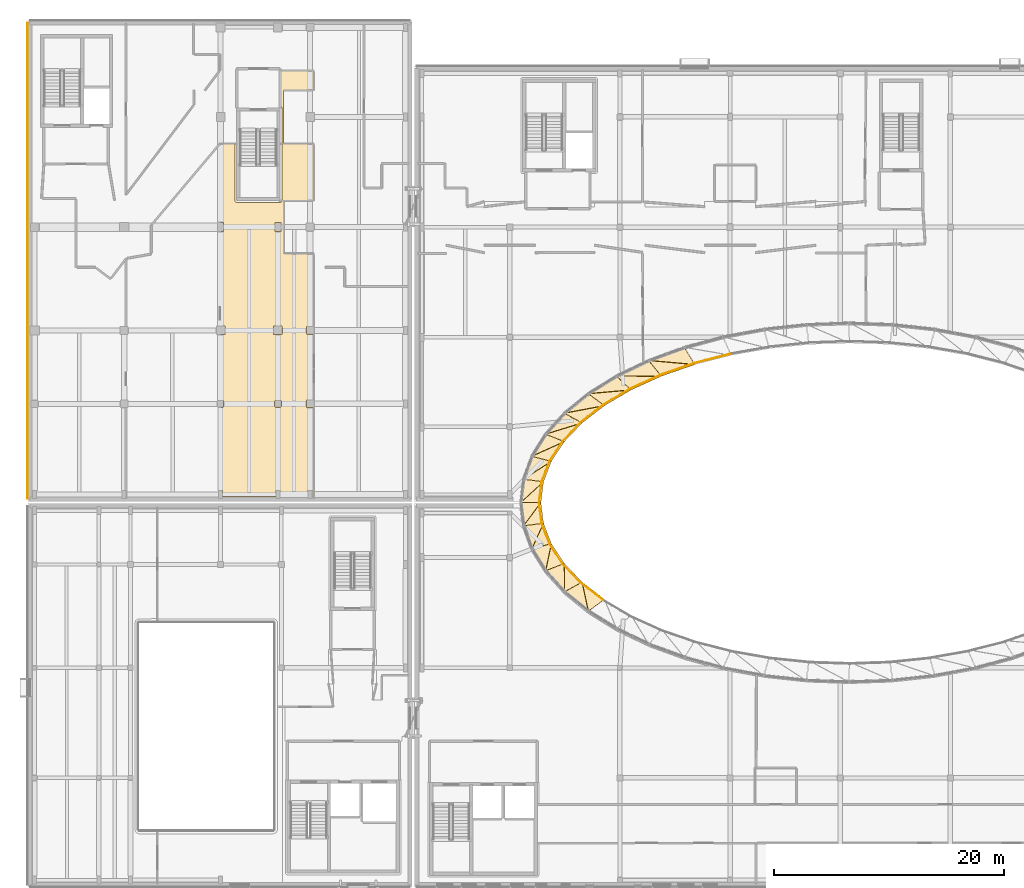
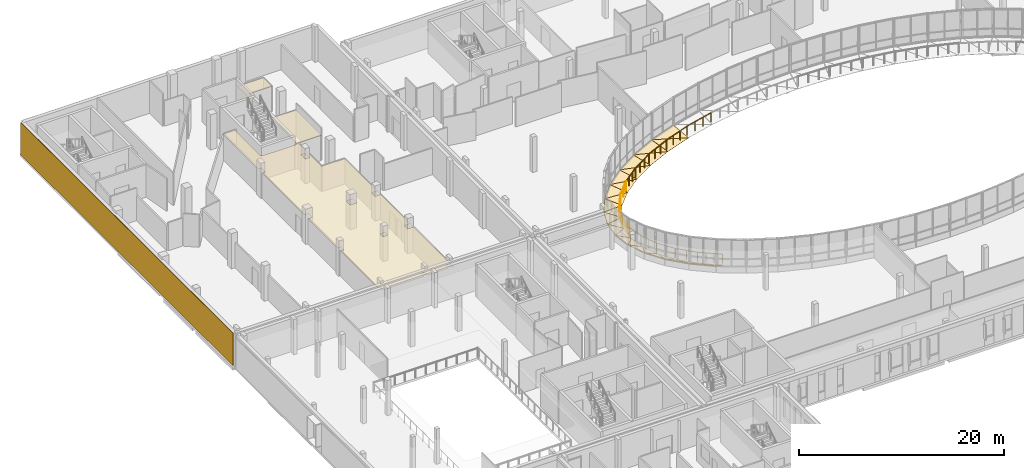
# One storey, part 74 of 84: 28 coverings, 14 railings.
"""IFC4 building model written with IfcOpenShell, lengths in metres."""

from ifc_helpers import new_model, si_unit, direction, frame, origin, origin_2d, place, context, subcontext, project, spatial, polyline, rectangle, circle, outline, extrude, material, layer, layer_set, type_object, element, save


model = new_model("IFC4")

# Units and contexts
model_context = context("Model", 3, precision=1e-05, world=origin(), true_north=direction((0.0, 1.0)))
body_context = subcontext(model_context, "Body", "Model", "MODEL_VIEW")
ifc_project = project(units=[si_unit("LENGTHUNIT", "METRE"), si_unit("AREAUNIT", "SQUARE_METRE"), si_unit("VOLUMEUNIT", "CUBIC_METRE"), si_unit("PLANEANGLEUNIT", "RADIAN"), si_unit("MASSUNIT", "GRAM", prefix="KILO")], contexts=[model_context])

# Site, building, storey
site_placement = place(None, origin())
site = spatial("IfcSite", under=ifc_project, at=site_placement, CompositionType="ELEMENT")
building_placement = place(site_placement, origin())
building = spatial("IfcBuilding", under=site, at=building_placement, Name="Mzevani Central Library", CompositionType="ELEMENT")
storey_placement = place(building_placement, frame((0.0, 0.0, 5.39990234375)))
storey = spatial("IfcBuildingStorey", under=building, at=storey_placement, Name="L01", CompositionType="ELEMENT", Elevation=5.39990234375)

# Coverings
ifc_material_1 = material(Name="Limestone ashlar cladding", Category="masonry")
ifc_layer_1 = layer(ifc_material_1, 0.050048828125, Name="Limestone Ashlar Spandrel Cladding")
ifc_layer_set_1 = layer_set([ifc_layer_1], Name="Limestone ashlar cladding")
covering_type_1 = type_object("IfcCoveringType", Name="Limestone Ashlar Spandrel Cladding", PredefinedType="CLADDING", material=ifc_layer_set_1)
covering_1_placement = place(storey_placement, frame((70.53662109375, 88.0107421875, -0.27978515625), z_axis=(0.164926242522, -0.478855644327, 0.862262492762), x_axis=(-0.945492423857, -0.325644094723, 0.0)))
element("IfcCovering", 1, at=covering_1_placement, inside=storey, type_object=covering_type_1, Name="L01 Curved Court Spandrel Apron 17A", PredefinedType="CLADDING", context=body_context, shape_type="SweptSolid", body=[
    extrude(outline(polyline([(0.0, 0.0), (3.0828326576993037, 0.0), (3.667182783061646, -1.8954267415628663), (0.0, 0.0)])), origin(), (0.0, 0.0, -1.0), 0.06005859375),
])
covering_2_placement = place(storey_placement, frame((70.53662109375, 88.0107421875, -0.27978515625), z_axis=(0.168103921967, -0.463632595773, 0.869934415664), x_axis=(-0.968860087181, 0.085045831117, 0.232545346282)))
element("IfcCovering", 2, at=covering_2_placement, inside=storey, type_object=covering_type_1, Name="L01 Curved Court Spandrel Apron 17B", PredefinedType="CLADDING", context=body_context, shape_type="SweptSolid", body=[
    extrude(outline(polyline([(0.0, 0.0), (4.1280591198546785, -1.1102230246251565e-16), (1.2308560594081754, -1.5491682908399342), (0.0, 0.0)])), origin(), (0.0, 0.0, -1.0), 0.06005859375),
])
covering_3_placement = place(storey_placement, frame((67.6162109375, 86.99853515625, -0.27978515625), z_axis=(0.21080749624, -0.466420766942, 0.859076171067), x_axis=(-0.911249009609, -0.411855851587, 0.0)))
element("IfcCovering", 3, at=covering_3_placement, inside=storey, type_object=covering_type_1, Name="L01 Curved Court Spandrel Apron 18A", PredefinedType="CLADDING", context=body_context, shape_type="SweptSolid", body=[
    extrude(outline(polyline([(0.0, 0.0), (2.892182069976342, -1.1102230246251565e-16), (3.538133719651642, -1.8754813583797776), (0.0, 0.0)])), origin(), (0.0, 0.0, -1.0), 0.06005859375),
])
covering_4_placement = place(storey_placement, frame((67.6162109375, 86.99853515625, -0.27978515625), z_axis=(0.213148192234, -0.447826504896, 0.868342829567), x_axis=(-0.97083768776, 0.002743512682, 0.239722041464)))
element("IfcCovering", 4, at=covering_4_placement, inside=storey, type_object=covering_type_1, Name="L01 Curved Court Spandrel Apron 18B", PredefinedType="CLADDING", context=body_context, shape_type="SweptSolid", body=[
    extrude(outline(polyline([(0.0, 0.0), (4.004475064695249, -5.551115123125783e-17), (1.2966028182555978, -1.4950793737642618), (0.0, 0.0)])), origin(), (0.0, 0.0, -1.0), 0.06005859375),
])
covering_5_placement = place(storey_placement, frame((64.9765625, 85.7998046875, -0.27978515625), z_axis=(0.261029946554, -0.444135604606, 0.857092137243), x_axis=(-0.862126118655, -0.506693749255, 0.0)))
element("IfcCovering", 5, at=covering_5_placement, inside=storey, type_object=covering_type_1, Name="L01 Curved Court Spandrel Apron 19A", PredefinedType="CLADDING", context=body_context, shape_type="SweptSolid", body=[
    extrude(outline(polyline([(0.0, 0.0), (2.6809062466198696, 0.0), (3.3626212271716818, -1.8634115088382948), (0.0, 0.0)])), origin(), (0.0, 0.0, -1.0), 0.06005859375),
])
covering_6_placement = place(storey_placement, frame((64.9765625, 85.7998046875, -0.27978515625), z_axis=(0.261849081384, -0.423116739172, 0.86741413616), x_axis=(-0.964581684027, -0.085033568695, 0.249702757363)))
element("IfcCovering", 6, at=covering_6_placement, inside=storey, type_object=covering_type_1, Name="L01 Curved Court Spandrel Apron 19B", PredefinedType="CLADDING", context=body_context, shape_type="SweptSolid", body=[
    extrude(outline(polyline([(0.0, 0.0), (3.844414645781148, 0.0), (1.3528078430785293, -1.4455529200877386), (0.0, 0.0)])), origin(), (0.0, 0.0, -1.0), 0.06005859375),
])
covering_7_placement = place(storey_placement, frame((62.66259765625, 84.434326171875, -0.27978515625), z_axis=(0.314687642206, -0.408025029988, 0.857022323365), x_axis=(-0.791852195823, -0.610712780258, 0.0)))
element("IfcCovering", 7, at=covering_7_placement, inside=storey, type_object=covering_type_1, Name="L01 Curved Court Spandrel Apron 20A", PredefinedType="CLADDING", context=body_context, shape_type="SweptSolid", body=[
    extrude(outline(polyline([(0.0, 0.0), (2.459744276172497, -2.220446049250313e-16), (3.145153463334915, -1.8629915333519382), (0.0, 0.0)])), origin(), (0.0, 0.0, -1.0), 0.06005859375),
])
covering_8_placement = place(storey_placement, frame((62.66259765625, 84.434326171875, -0.27978515625), z_axis=(0.313442655385, -0.385891460235, 0.867664383678), x_axis=(-0.948042678411, -0.17959047286, 0.262606820113)))
element("IfcCovering", 8, at=covering_8_placement, inside=storey, type_object=covering_type_1, Name="L01 Curved Court Spandrel Apron 20B", PredefinedType="CLADDING", context=body_context, shape_type="SweptSolid", body=[
    extrude(outline(polyline([(0.0, 0.0), (3.6555064985947725, 5.551115123125783e-17), (1.3979691579550246, -1.4044030181970746), (0.0, 0.0)])), origin(), (0.0, 0.0, -1.0), 0.06005859375),
])
covering_9_placement = place(storey_placement, frame((60.712890625, 82.92578125, -0.27978515625), z_axis=(0.369479169104, -0.353501992438, 0.859372727599), x_axis=(-0.691311626592, -0.722556734754, 0.0)))
element("IfcCovering", 9, at=covering_9_placement, inside=storey, type_object=covering_type_1, Name="L01 Curved Court Spandrel Apron 21A", PredefinedType="CLADDING", context=body_context, shape_type="SweptSolid", body=[
    extrude(outline(polyline([(0.0, 0.0), (2.2425385442927626, 0.0), (2.8910269166156484, -1.8773081096106277), (0.0, 0.0)])), origin(), (0.0, 0.0, -1.0), 0.06005859375),
])
covering_10_placement = place(storey_placement, frame((60.712890625, 82.92578125, -0.27978515625), z_axis=(0.366013014821, -0.332604319436, 0.869142588805), x_axis=(-0.917968750677, -0.282451923285, 0.278485697682)))
element("IfcCovering", 10, at=covering_10_placement, inside=storey, type_object=covering_type_1, Name="L01 Curved Court Spandrel Apron 21B", PredefinedType="CLADDING", context=body_context, shape_type="SweptSolid", body=[
    extrude(outline(polyline([(0.0, 0.0), (3.4470744655440813, -1.1102230246251565e-16), (1.4280879821691332, -1.375720240972055), (0.0, 0.0)])), origin(), (0.0, 0.0, -1.0), 0.06005859375),
])
covering_11_placement = place(storey_placement, frame((59.1611328125, 81.299560546875, -0.27978515625), z_axis=(0.420578351133, -0.276964767477, 0.863946970673), x_axis=(-0.54998854207, -0.835172199963, 0.0)))
element("IfcCovering", 11, at=covering_11_placement, inside=storey, type_object=covering_type_1, Name="L01 Curved Court Spandrel Apron 22A", PredefinedType="CLADDING", context=body_context, shape_type="SweptSolid", body=[
    extrude(outline(polyline([(0.0, 0.0), (2.048604467528467, 0.0), (2.608427929110987, -1.9062623786753587), (0.0, 0.0)])), origin(), (0.0, 0.0, -1.0), 0.06005859375),
])
covering_12_placement = place(storey_placement, frame((59.1611328125, 81.299560546875, -0.27978515625), z_axis=(0.415490266475, -0.259900613036, 0.871676264337), x_axis=(-0.869785761732, -0.393935115196, 0.297132720689)))
element("IfcCovering", 12, at=covering_12_placement, inside=storey, type_object=covering_type_1, Name="L01 Curved Court Spandrel Apron 22B", PredefinedType="CLADDING", context=body_context, shape_type="SweptSolid", body=[
    extrude(outline(polyline([(0.0, 0.0), (3.230747981152239, 1.6653345369377348e-16), (1.4401471934693482, -1.3651516255114415), (0.0, 0.0)])), origin(), (0.0, 0.0, -1.0), 0.06005859375),
])
covering_13_placement = place(storey_placement, frame((58.03369140625, 79.5830078125, -0.27978515625), z_axis=(0.460730012414, -0.177867938107, 0.869534848212), x_axis=(-0.360150171798, -0.932894342224, 0.0)))
element("IfcCovering", 13, at=covering_13_placement, inside=storey, type_object=covering_type_1, Name="L01 Curved Court Spandrel Apron 23A", PredefinedType="CLADDING", context=body_context, shape_type="SweptSolid", body=[
    extrude(outline(polyline([(0.0, 0.0), (1.8994355266701755, 0.0), (2.3127353278121117, -1.9437460187551385), (0.0, 0.0)])), origin(), (0.0, 0.0, -1.0), 0.06005859375),
])
covering_14_placement = place(storey_placement, frame((58.03369140625, 79.5830078125, -0.27978515625), z_axis=(0.455684662479, -0.167048742178, 0.874326144021), x_axis=(-0.797619418282, -0.512674527819, 0.317754767242)))
element("IfcCovering", 14, at=covering_14_placement, inside=storey, type_object=covering_type_1, Name="L01 Curved Court Spandrel Apron 23B", PredefinedType="CLADDING", context=body_context, shape_type="SweptSolid", body=[
    extrude(outline(polyline([(0.0, 0.0), (3.0210748554010785, -2.220446049250313e-16), (1.429208875496848, -1.3787931422842696), (0.0, 0.0)])), origin(), (0.0, 0.0, -1.0), 0.06005859375),
])
covering_15_placement = place(storey_placement, frame((57.349365234375, 77.8056640625, -0.27978515625), z_axis=(0.482030918713, -0.061290051817, 0.874007850624), x_axis=(-0.126134108825, -0.992013198799, 0.0)))
element("IfcCovering", 15, at=covering_15_placement, inside=storey, type_object=covering_type_1, Name="L01 Curved Court Spandrel Apron 24A", PredefinedType="CLADDING", context=body_context, shape_type="SweptSolid", body=[
    extrude(outline(polyline([(0.0, 0.0), (1.8174944827430237, -2.7755575615628914e-17), (2.032364976595081, -1.9755868002684125), (0.0, 0.0)])), origin(), (0.0, 0.0, -1.0), 0.06005859375),
])
covering_16_placement = place(storey_placement, frame((57.349365234375, 77.8056640625, -0.27978515625), z_axis=(0.47969504098, -0.057924340507, 0.875521238141), x_axis=(-0.694779836152, -0.6344840408, 0.338690096175)))
element("IfcCovering", 16, at=covering_16_placement, inside=storey, type_object=covering_type_1, Name="L01 Curved Court Spandrel Apron 24B", PredefinedType="CLADDING", context=body_context, shape_type="SweptSolid", body=[
    extrude(outline(polyline([(0.0, 0.0), (2.8343342434309173, 3.3306690738754696e-16), (1.389154938459403, -1.4203799470660554), (0.0, 0.0)])), origin(), (0.0, 0.0, -1.0), 0.06005859375),
])
covering_17_placement = place(storey_placement, frame((57.1201171875, 75.997314453125, -0.27978515625), z_axis=(0.479321366855, 0.060945533308, 0.875520798866), x_axis=(0.126134108825, -0.992013198799, 0.0)))
element("IfcCovering", 17, at=covering_17_placement, inside=storey, type_object=covering_type_1, Name="L01 Curved Court Spandrel Apron 25A", PredefinedType="CLADDING", context=body_context, shape_type="SweptSolid", body=[
    extrude(outline(polyline([(0.0, 0.0), (1.8174944827430237, 2.7755575615628914e-17), (1.8114215462804029, -1.9867545788335905), (0.0, 0.0)])), origin(), (0.0, 0.0, -1.0), 0.06005859375),
])
covering_18_placement = place(storey_placement, frame((57.1201171875, 75.997314453125, -0.27978515625), z_axis=(0.482126035022, 0.058217888938, 0.87416540984), x_axis=(-0.556826447425, -0.749972216125, 0.357051792445)))
element("IfcCovering", 18, at=covering_18_placement, inside=storey, type_object=covering_type_1, Name="L01 Curved Court Spandrel Apron 25B", PredefinedType="CLADDING", context=body_context, shape_type="SweptSolid", body=[
    extrude(outline(polyline([(0.0, 0.0), (2.6885761612506203, -3.885780586188048e-16), (1.3151072291984867, -1.4898340545956419), (0.0, 0.0)])), origin(), (0.0, 0.0, -1.0), 0.06005859375),
])
covering_19_placement = place(storey_placement, frame((57.349609375, 74.18896484375, -0.27978515625), z_axis=(0.453427151964, 0.175048619427, 0.873934665005), x_axis=(0.360150171798, -0.932894342224, 0.0)))
element("IfcCovering", 19, at=covering_19_placement, inside=storey, type_object=covering_type_1, Name="L01 Curved Court Spandrel Apron 26A", PredefinedType="CLADDING", context=body_context, shape_type="SweptSolid", body=[
    extrude(outline(polyline([(0.0, 0.0), (1.8994355266701755, 0.0), (1.6923635625645557, -1.9750518324060602), (0.0, 0.0)])), origin(), (0.0, 0.0, -1.0), 0.06005859375),
])
covering_20_placement = place(storey_placement, frame((57.349609375, 74.18896484375, -0.27978515625), z_axis=(0.462288700821, 0.169469706475, 0.870384498759), x_axis=(-0.384756977102, -0.846014792541, 0.369081345198)))
element("IfcCovering", 20, at=covering_20_placement, inside=storey, type_object=covering_type_1, Name="L01 Curved Court Spandrel Apron 26B", PredefinedType="CLADDING", context=body_context, shape_type="SweptSolid", body=[
    extrude(outline(polyline([(0.0, 0.0), (2.600946783113167, 1.6653345369377348e-16), (1.2070184775051918, -1.5786296924901242), (0.0, 0.0)])), origin(), (0.0, 0.0, -1.0), 0.06005859375),
])
covering_21_placement = place(storey_placement, frame((58.034423828125, 72.411376953125, -0.27978515625), z_axis=(0.410744019286, 0.27048853439, 0.870703912582), x_axis=(0.54998854207, -0.835172199963, 0.0)))
element("IfcCovering", 21, at=covering_21_placement, inside=storey, type_object=covering_type_1, Name="L01 Curved Court Spandrel Apron 27A", PredefinedType="CLADDING", context=body_context, shape_type="SweptSolid", body=[
    extrude(outline(polyline([(0.0, 0.0), (2.048604467528467, 0.0), (1.691203245150421, -1.951903498059484), (0.0, 0.0)])), origin(), (0.0, 0.0, -1.0), 0.06005859375),
])
covering_22_placement = place(storey_placement, frame((58.034423828125, 72.411376953125, -0.27978515625), z_axis=(0.424503233969, 0.26553847261, 0.865613264636), x_axis=(-0.189440022787, -0.908820548439, 0.371695693412)))
element("IfcCovering", 22, at=covering_22_placement, inside=storey, type_object=covering_type_1, Name="L01 Curved Court Spandrel Apron 27B", PredefinedType="CLADDING", context=body_context, shape_type="SweptSolid", body=[
    extrude(outline(polyline([(0.0, 0.0), (2.582652838099648, -5.551115123125783e-17), (1.0739817646629974, -1.6714669406430471), (0.0, 0.0)])), origin(), (0.0, 0.0, -1.0), 0.06005859375),
])
covering_23_placement = place(storey_placement, frame((59.16259765625, 70.694580078125, -0.27978515625), z_axis=(0.359111767831, 0.343582902776, 0.867749691516), x_axis=(0.691311626592, -0.722556734754, 0.0)))
element("IfcCovering", 23, at=covering_23_placement, inside=storey, type_object=covering_type_1, Name="L01 Curved Court Spandrel Apron 28A", PredefinedType="CLADDING", context=body_context, shape_type="SweptSolid", body=[
    extrude(outline(polyline([(0.0, 0.0), (2.2425385442927626, 0.0), (1.7938413211717867, -1.9315051820276437), (0.0, 0.0)])), origin(), (0.0, 0.0, -1.0), 0.06005859375),
])
covering_24_placement = place(storey_placement, frame((59.16259765625, 70.694580078125, -0.27978515625), z_axis=(0.37566093081, 0.341371599291, 0.86159404377), x_axis=(0.011021457115, -0.931266817581, 0.364171171231)))
element("IfcCovering", 24, at=covering_24_placement, inside=storey, type_object=covering_type_1, Name="L01 Curved Court Spandrel Apron 28B", PredefinedType="CLADDING", context=body_context, shape_type="SweptSolid", body=[
    extrude(outline(polyline([(0.0, 0.0), (2.63601573472978, 0.0), (0.9340781230626195, -1.7528037447083542), (0.0, 0.0)])), origin(), (0.0, 0.0, -1.0), 0.06005859375),
])
covering_25_placement = place(storey_placement, frame((60.71484375, 69.06787109375, -0.27978515625), z_axis=(0.3052267809, 0.39575804616, 0.866147897949), x_axis=(0.791852195823, -0.610712780258, 0.0)))
element("IfcCovering", 25, at=covering_25_placement, inside=storey, type_object=covering_type_1, Name="L01 Curved Court Spandrel Apron 29A", PredefinedType="CLADDING", context=body_context, shape_type="SweptSolid", body=[
    extrude(outline(polyline([(0.0, 0.0), (2.459744276172497, 4.440892098500626e-16), (1.9724718090637485, -1.9207371363391414), (0.0, 0.0)])), origin(), (0.0, 0.0, -1.0), 0.06005859375),
])
covering_26_placement = place(storey_placement, frame((60.71484375, 69.06787109375, -0.27978515625), z_axis=(0.322382114156, 0.396897176079, 0.859384898688), x_axis=(0.198280860711, -0.916029199975, 0.348676361501)))
element("IfcCovering", 26, at=covering_26_placement, inside=storey, type_object=covering_type_1, Name="L01 Curved Court Spandrel Apron 29B", PredefinedType="CLADDING", context=body_context, shape_type="SweptSolid", body=[
    extrude(outline(polyline([(0.0, 0.0), (2.7531574935814156, 0.0), (0.8084493386458123, -1.8129900369364422), (0.0, 0.0)])), origin(), (0.0, 0.0, -1.0), 0.06005859375),
])
covering_27_placement = place(storey_placement, frame((12.3759765625, 97.050048828125, 0.000244140625), z_axis=(0.0, 0.0, 1.0), x_axis=(0.0, 1.0, 0.0)))
element("IfcCovering", 27, at=covering_27_placement, inside=storey, type_object=covering_type_1, Name="L01 Warm-White Facade Cladding (EW4-V2-L01-0021)", PredefinedType="CLADDING", context=body_context, shape_type="SweptSolid", body=[
    extrude(rectangle(XDim=41.47998046875, YDim=0.050048828125, at=origin_2d()), origin(), (0.0, 0.0, 1.0), 3.8798828125),
])
ifc_material_2 = material(Name="Mineral wool acoustic ceiling")
ifc_layer_2 = layer(ifc_material_2, 0.0400390625, Name="Perforated Timber Acoustic Ceiling")
ifc_layer_set_2 = layer_set([ifc_layer_2], Name="Mineral wool acoustic ceiling")
covering_type_2 = type_object("IfcCoveringType", Name="Perforated Timber Acoustic Ceiling", PredefinedType="CEILING", material=ifc_layer_set_2)
covering_28_placement = place(storey_placement, frame((0.0, 0.0, 2.9501953125)))
element("IfcCovering", 28, at=covering_28_placement, inside=storey, type_object=covering_type_2, Name="L01 Archival Retrieval Desk Acoustic Ceiling", PredefinedType="CEILING", context=body_context, shape_type="SweptSolid", body=[
    extrude(outline(polyline([(34.5400390625, 110.39794921875), (34.498291015625, 110.498291015625), (34.389892578125, 110.550048828125), (34.392333984375, 113.626220703125), (37.34130859375, 113.627685546875), (37.340576171875, 111.916748046875), (34.68505859375, 111.9150390625), (34.68505859375, 107.284912109375), (37.344970703125, 107.27587890625), (37.34375, 102.29541015625), (34.7099609375, 102.2900390625), (34.7099609375, 97.7099609375), (37.344970703125, 97.700927734375), (37.3447265625, 76.47802734375), (37.175048828125, 76.469970703125), (37.175048828125, 77.050048828125), (36.824951171875, 77.050048828125), (36.824951171875, 76.469970703125), (34.375, 76.469970703125), (34.375, 77.050048828125), (34.02490234375, 77.050048828125), (34.02490234375, 76.469970703125), (29.375, 76.469970703125), (29.375, 77.050048828125), (29.139892578125, 77.050048828125), (29.139892578125, 84.324951171875), (29.47509765625, 84.324951171875), (29.47509765625, 84.875), (29.139892578125, 84.875), (29.139892578125, 90.625), (29.574951171875, 90.625), (29.574951171875, 91.375), (29.139892578125, 91.375), (29.139892578125, 99.60009765625), (29.449951171875, 99.60009765625), (29.449951171875, 100.39990234375), (29.139892578125, 100.39990234375), (29.14013671875, 107.277099609375), (30.459716796875, 107.27783203125), (30.4599609375, 102.3017578125), (30.491943359375, 102.212158203125), (30.602294921875, 102.159912109375), (34.398193359375, 102.159912109375), (34.48779296875, 102.19189453125), (34.5400390625, 102.30224609375), (34.5400390625, 110.39794921875)]), holes=[polyline([(33.925048828125, 84.875), (33.925048828125, 84.324951171875), (34.47509765625, 84.324951171875), (34.47509765625, 84.875), (33.925048828125, 84.875)]), polyline([(34.574951171875, 91.375), (33.824951171875, 91.375), (33.824951171875, 90.625), (34.574951171875, 90.625), (34.574951171875, 91.375)]), polyline([(34.449951171875, 99.60009765625), (34.449951171875, 100.39990234375), (33.949951171875, 100.39990234375), (33.949951171875, 99.60009765625), (34.449951171875, 99.60009765625)]), polyline([(36.675048828125, 84.925048828125), (36.675048828125, 84.27490234375), (37.324951171875, 84.27490234375), (37.324951171875, 84.925048828125), (36.675048828125, 84.925048828125)]), polyline([(37.324951171875, 91.324951171875), (36.675048828125, 91.324951171875), (36.675048828125, 90.675048828125), (37.324951171875, 90.675048828125), (37.324951171875, 91.324951171875)])]), origin(), (0.0, 0.0, 1.0), 0.039794921875),
])

# Railings
ifc_material_3 = material(Name="Anodized architectural bronze")
railing_type = type_object("IfcRailingType", Name="Terrace and Court Balustrade 1100", PredefinedType="BALUSTRADE", material=ifc_material_3)
railing_1_placement = place(storey_placement, frame((73.578125, 88.934326171875, 0.0)))
element("IfcRailing", 29, at=railing_1_placement, inside=storey, type_object=railing_type, Name="L01 Elliptical Court Terrace Guard 16", PredefinedType="BALUSTRADE", context=body_context, shape_type="SweptSolid", body=[
    extrude(circle(Radius=0.02392578125, at=origin_2d()), frame((0.0, 0.0, 1.076171875), z_axis=(-0.969187718636, -0.246323295783, 0.0), x_axis=(0.246323295783, -0.969187718636, 0.0)), (0.0, 0.0, 1.0), 3.243896484375),
    extrude(circle(Radius=0.02099609375, at=origin_2d()), origin(), (0.0, 0.0, 1.0), 1.052001953125),
    extrude(circle(Radius=0.02099609375, at=origin_2d()), frame((-1.048095703125, -0.266357421875, 0.0)), (0.0, 0.0, 1.0), 1.052001953125),
    extrude(circle(Radius=0.02099609375, at=origin_2d()), frame((-2.095947265625, -0.53271484375, 0.0)), (0.0, 0.0, 1.0), 1.052001953125),
    extrude(circle(Radius=0.02099609375, at=origin_2d()), frame((-3.14404296875, -0.799072265625, 0.0)), (0.0, 0.0, 1.0), 1.052001953125),
])
railing_2_placement = place(storey_placement, frame((70.409912109375, 88.1083984375, 0.0)))
element("IfcRailing", 30, at=railing_2_placement, inside=storey, type_object=railing_type, Name="L01 Elliptical Court Terrace Guard 17", PredefinedType="BALUSTRADE", context=body_context, shape_type="SweptSolid", body=[
    extrude(circle(Radius=0.02392578125, at=origin_2d()), frame((0.0, 0.0, 1.076171875), z_axis=(-0.945492423857, -0.325644094723, 0.0), x_axis=(0.325644094723, -0.945492423857, 0.0)), (0.0, 0.0, 1.0), 3.082763671875),
    extrude(circle(Radius=0.02099609375, at=origin_2d()), origin(), (0.0, 0.0, 1.0), 1.052001953125),
    extrude(circle(Radius=0.02099609375, at=origin_2d()), frame((-0.9716796875, -0.334716796875, 0.0)), (0.0, 0.0, 1.0), 1.052001953125),
    extrude(circle(Radius=0.02099609375, at=origin_2d()), frame((-1.943115234375, -0.669189453125, 0.0)), (0.0, 0.0, 1.0), 1.052001953125),
    extrude(circle(Radius=0.02099609375, at=origin_2d()), frame((-2.914794921875, -1.00390625, 0.0)), (0.0, 0.0, 1.0), 1.052001953125),
])
railing_3_placement = place(storey_placement, frame((67.478271484375, 87.07958984375, 0.0)))
element("IfcRailing", 31, at=railing_3_placement, inside=storey, type_object=railing_type, Name="L01 Elliptical Court Terrace Guard 18", PredefinedType="BALUSTRADE", context=body_context, shape_type="SweptSolid", body=[
    extrude(circle(Radius=0.02392578125, at=origin_2d()), frame((0.0, 0.0, 1.076171875), z_axis=(-0.9112633267, -0.411824172932, 0.0), x_axis=(0.411824172932, -0.9112633267, 0.0)), (0.0, 0.0, 1.0), 2.892333984375),
    extrude(circle(Radius=0.02099609375, at=origin_2d()), origin(), (0.0, 0.0, 1.0), 1.052001953125),
    extrude(circle(Radius=0.02099609375, at=origin_2d()), frame((-0.878662109375, -0.39697265625, 0.0)), (0.0, 0.0, 1.0), 1.052001953125),
    extrude(circle(Radius=0.02099609375, at=origin_2d()), frame((-1.757080078125, -0.794189453125, 0.0)), (0.0, 0.0, 1.0), 1.052001953125),
    extrude(circle(Radius=0.02099609375, at=origin_2d()), frame((-2.6357421875, -1.191162109375, 0.0)), (0.0, 0.0, 1.0), 1.052001953125),
])
railing_4_placement = place(storey_placement, frame((64.830810546875, 85.865478515625, 0.0)))
element("IfcRailing", 32, at=railing_4_placement, inside=storey, type_object=railing_type, Name="L01 Elliptical Court Terrace Guard 19", PredefinedType="BALUSTRADE", context=body_context, shape_type="SweptSolid", body=[
    extrude(circle(Radius=0.02392578125, at=origin_2d()), frame((0.0, 0.0, 1.076171875), z_axis=(-0.862149496171, -0.506653970923, 0.0), x_axis=(0.506653970923, -0.862149496171, 0.0)), (0.0, 0.0, 1.0), 2.68115234375),
    extrude(circle(Radius=0.02099609375, at=origin_2d()), origin(), (0.0, 0.0, 1.0), 1.052001953125),
    extrude(circle(Radius=0.02099609375, at=origin_2d()), frame((-0.7705078125, -0.452880859375, 0.0)), (0.0, 0.0, 1.0), 1.052001953125),
    extrude(circle(Radius=0.02099609375, at=origin_2d()), frame((-1.541015625, -0.905517578125, 0.0)), (0.0, 0.0, 1.0), 1.052001953125),
    extrude(circle(Radius=0.02099609375, at=origin_2d()), frame((-2.3115234375, -1.3583984375, 0.0)), (0.0, 0.0, 1.0), 1.052001953125),
])
railing_5_placement = place(storey_placement, frame((62.51123046875, 84.486572265625, 0.0)))
element("IfcRailing", 33, at=railing_5_placement, inside=storey, type_object=railing_type, Name="L01 Elliptical Court Terrace Guard 20", PredefinedType="BALUSTRADE", context=body_context, shape_type="SweptSolid", body=[
    extrude(circle(Radius=0.02392578125, at=origin_2d()), frame((0.0, 0.0, 1.076171875), z_axis=(-0.791815172507, -0.610760781802, 0.0), x_axis=(0.610760781802, -0.791815172507, 0.0)), (0.0, 0.0, 1.0), 2.45947265625),
    extrude(circle(Radius=0.02099609375, at=origin_2d()), origin(), (0.0, 0.0, 1.0), 1.052001953125),
    extrude(circle(Radius=0.02099609375, at=origin_2d()), frame((-0.649169921875, -0.500732421875, 0.0)), (0.0, 0.0, 1.0), 1.052001953125),
    extrude(circle(Radius=0.02099609375, at=origin_2d()), frame((-1.29833984375, -1.00146484375, 0.0)), (0.0, 0.0, 1.0), 1.052001953125),
    extrude(circle(Radius=0.02099609375, at=origin_2d()), frame((-1.947509765625, -1.502197265625, 0.0)), (0.0, 0.0, 1.0), 1.052001953125),
])
railing_6_placement = place(storey_placement, frame((60.557861328125, 82.96533203125, 0.0)))
element("IfcRailing", 34, at=railing_6_placement, inside=storey, type_object=railing_type, Name="L01 Elliptical Court Terrace Guard 21", PredefinedType="BALUSTRADE", context=body_context, shape_type="SweptSolid", body=[
    extrude(circle(Radius=0.02392578125, at=origin_2d()), frame((0.0, 0.0, 1.076171875), z_axis=(-0.691368458863, -0.722502355767, 0.0), x_axis=(0.722502355767, -0.691368458863, 0.0)), (0.0, 0.0, 1.0), 2.24267578125),
    extrude(circle(Radius=0.02099609375, at=origin_2d()), origin(), (0.0, 0.0, 1.0), 1.052001953125),
    extrude(circle(Radius=0.02099609375, at=origin_2d()), frame((-0.775390625, -0.81005859375, 0.0)), (0.0, 0.0, 1.0), 1.052001953125),
    extrude(circle(Radius=0.02099609375, at=origin_2d()), frame((-1.550537109375, -1.620361328125, 0.0)), (0.0, 0.0, 1.0), 1.052001953125),
])
railing_7_placement = place(storey_placement, frame((59.003662109375, 81.3271484375, 0.0)))
element("IfcRailing", 35, at=railing_7_placement, inside=storey, type_object=railing_type, Name="L01 Elliptical Court Terrace Guard 22", PredefinedType="BALUSTRADE", context=body_context, shape_type="SweptSolid", body=[
    extrude(circle(Radius=0.02392578125, at=origin_2d()), frame((0.0, 0.0, 1.076171875), z_axis=(-0.550071659346, -0.835117458556, 0.0), x_axis=(0.835117458556, -0.550071659346, 0.0)), (0.0, 0.0, 1.0), 2.048828125),
    extrude(circle(Radius=0.02099609375, at=origin_2d()), origin(), (0.0, 0.0, 1.0), 1.052001953125),
    extrude(circle(Radius=0.02099609375, at=origin_2d()), frame((-0.5634765625, -0.85546875, 0.0)), (0.0, 0.0, 1.0), 1.052001953125),
    extrude(circle(Radius=0.02099609375, at=origin_2d()), frame((-1.126953125, -1.7109375, 0.0)), (0.0, 0.0, 1.0), 1.052001953125),
])
railing_8_placement = place(storey_placement, frame((57.87451171875, 79.599365234375, 0.0)))
element("IfcRailing", 36, at=railing_8_placement, inside=storey, type_object=railing_type, Name="L01 Elliptical Court Terrace Guard 23", PredefinedType="BALUSTRADE", context=body_context, shape_type="SweptSolid", body=[
    extrude(circle(Radius=0.02392578125, at=origin_2d()), frame((0.0, 0.0, 1.076171875), z_axis=(-0.360150171798, -0.932894342224, 0.0), x_axis=(0.932894342224, -0.360150171798, 0.0)), (0.0, 0.0, 1.0), 1.8994140625),
    extrude(circle(Radius=0.02099609375, at=origin_2d()), origin(), (0.0, 0.0, 1.0), 1.052001953125),
    extrude(circle(Radius=0.02099609375, at=origin_2d()), frame((-0.342041015625, -0.885986328125, 0.0)), (0.0, 0.0, 1.0), 1.052001953125),
    extrude(circle(Radius=0.02099609375, at=origin_2d()), frame((-0.68408203125, -1.77197265625, 0.0)), (0.0, 0.0, 1.0), 1.052001953125),
])
railing_9_placement = place(storey_placement, frame((57.189453125, 77.81103515625, 0.0)))
element("IfcRailing", 37, at=railing_9_placement, inside=storey, type_object=railing_type, Name="L01 Elliptical Court Terrace Guard 24", PredefinedType="BALUSTRADE", context=body_context, shape_type="SweptSolid", body=[
    extrude(circle(Radius=0.02392578125, at=origin_2d()), frame((0.0, 0.0, 1.076171875), z_axis=(-0.126134108825, -0.992013198799, 0.0), x_axis=(0.992013198799, -0.126134108825, 0.0)), (0.0, 0.0, 1.0), 1.8173828125),
    extrude(circle(Radius=0.02099609375, at=origin_2d()), origin(), (0.0, 0.0, 1.0), 1.052001953125),
    extrude(circle(Radius=0.02099609375, at=origin_2d()), frame((-0.11474609375, -0.9013671875, 0.0)), (0.0, 0.0, 1.0), 1.052001953125),
    extrude(circle(Radius=0.02099609375, at=origin_2d()), frame((-0.229248046875, -1.802978515625, 0.0)), (0.0, 0.0, 1.0), 1.052001953125),
])
railing_10_placement = place(storey_placement, frame((56.960205078125, 75.991943359375, 0.0)))
element("IfcRailing", 38, at=railing_10_placement, inside=storey, type_object=railing_type, Name="L01 Elliptical Court Terrace Guard 25", PredefinedType="BALUSTRADE", context=body_context, shape_type="SweptSolid", body=[
    extrude(circle(Radius=0.02392578125, at=origin_2d()), frame((0.0, 0.0, 1.076171875), z_axis=(0.126134108825, -0.992013198799, 0.0), x_axis=(0.992013198799, 0.126134108825, 0.0)), (0.0, 0.0, 1.0), 1.8173828125),
    extrude(circle(Radius=0.02099609375, at=origin_2d()), origin(), (0.0, 0.0, 1.0), 1.052001953125),
    extrude(circle(Radius=0.02099609375, at=origin_2d()), frame((0.11474609375, -0.9013671875, 0.0)), (0.0, 0.0, 1.0), 1.052001953125),
    extrude(circle(Radius=0.02099609375, at=origin_2d()), frame((0.229248046875, -1.802978515625, 0.0)), (0.0, 0.0, 1.0), 1.052001953125),
])
railing_11_placement = place(storey_placement, frame((57.1904296875, 74.172607421875, 0.0)))
element("IfcRailing", 39, at=railing_11_placement, inside=storey, type_object=railing_type, Name="L01 Elliptical Court Terrace Guard 26", PredefinedType="BALUSTRADE", context=body_context, shape_type="SweptSolid", body=[
    extrude(circle(Radius=0.02392578125, at=origin_2d()), frame((0.0, 0.0, 1.076171875), z_axis=(0.360150171798, -0.932894342224, 0.0), x_axis=(0.932894342224, 0.360150171798, 0.0)), (0.0, 0.0, 1.0), 1.8994140625),
    extrude(circle(Radius=0.02099609375, at=origin_2d()), origin(), (0.0, 0.0, 1.0), 1.052001953125),
    extrude(circle(Radius=0.02099609375, at=origin_2d()), frame((0.342041015625, -0.885986328125, 0.0)), (0.0, 0.0, 1.0), 1.052001953125),
    extrude(circle(Radius=0.02099609375, at=origin_2d()), frame((0.68408203125, -1.77197265625, 0.0)), (0.0, 0.0, 1.0), 1.052001953125),
])
railing_12_placement = place(storey_placement, frame((57.876708984375, 72.3837890625, 0.0)))
element("IfcRailing", 40, at=railing_12_placement, inside=storey, type_object=railing_type, Name="L01 Elliptical Court Terrace Guard 27", PredefinedType="BALUSTRADE", context=body_context, shape_type="SweptSolid", body=[
    extrude(circle(Radius=0.02392578125, at=origin_2d()), frame((0.0, 0.0, 1.076171875), z_axis=(0.550071659346, -0.835117458556, 0.0), x_axis=(0.835117458556, 0.550071659346, 0.0)), (0.0, 0.0, 1.0), 2.048828125),
    extrude(circle(Radius=0.02099609375, at=origin_2d()), origin(), (0.0, 0.0, 1.0), 1.052001953125),
    extrude(circle(Radius=0.02099609375, at=origin_2d()), frame((0.5634765625, -0.85546875, 0.0)), (0.0, 0.0, 1.0), 1.052001953125),
    extrude(circle(Radius=0.02099609375, at=origin_2d()), frame((1.126953125, -1.7109375, 0.0)), (0.0, 0.0, 1.0), 1.052001953125),
])
railing_13_placement = place(storey_placement, frame((59.00732421875, 70.655029296875, 0.0)))
element("IfcRailing", 41, at=railing_13_placement, inside=storey, type_object=railing_type, Name="L01 Elliptical Court Terrace Guard 28", PredefinedType="BALUSTRADE", context=body_context, shape_type="SweptSolid", body=[
    extrude(circle(Radius=0.02392578125, at=origin_2d()), frame((0.0, 0.0, 1.076171875), z_axis=(0.691368458863, -0.722502355767, 0.0), x_axis=(0.722502355767, 0.691368458863, 0.0)), (0.0, 0.0, 1.0), 2.24267578125),
    extrude(circle(Radius=0.02099609375, at=origin_2d()), origin(), (0.0, 0.0, 1.0), 1.052001953125),
    extrude(circle(Radius=0.02099609375, at=origin_2d()), frame((0.775390625, -0.81005859375, 0.0)), (0.0, 0.0, 1.0), 1.052001953125),
    extrude(circle(Radius=0.02099609375, at=origin_2d()), frame((1.550537109375, -1.620361328125, 0.0)), (0.0, 0.0, 1.0), 1.052001953125),
])
railing_14_placement = place(storey_placement, frame((60.563720703125, 69.015625, 0.0)))
element("IfcRailing", 42, at=railing_14_placement, inside=storey, type_object=railing_type, Name="L01 Elliptical Court Terrace Guard 29", PredefinedType="BALUSTRADE", context=body_context, shape_type="SweptSolid", body=[
    extrude(circle(Radius=0.02392578125, at=origin_2d()), frame((0.0, 0.0, 1.076171875), z_axis=(0.791815172507, -0.610760781802, 0.0), x_axis=(0.610760781802, 0.791815172507, 0.0)), (0.0, 0.0, 1.0), 2.45947265625),
    extrude(circle(Radius=0.02099609375, at=origin_2d()), origin(), (0.0, 0.0, 1.0), 1.052001953125),
    extrude(circle(Radius=0.02099609375, at=origin_2d()), frame((0.649169921875, -0.500732421875, 0.0)), (0.0, 0.0, 1.0), 1.052001953125),
    extrude(circle(Radius=0.02099609375, at=origin_2d()), frame((1.29833984375, -1.00146484375, 0.0)), (0.0, 0.0, 1.0), 1.052001953125),
    extrude(circle(Radius=0.02099609375, at=origin_2d()), frame((1.947509765625, -1.502197265625, 0.0)), (0.0, 0.0, 1.0), 1.052001953125),
])

save(model, "model.ifc")
